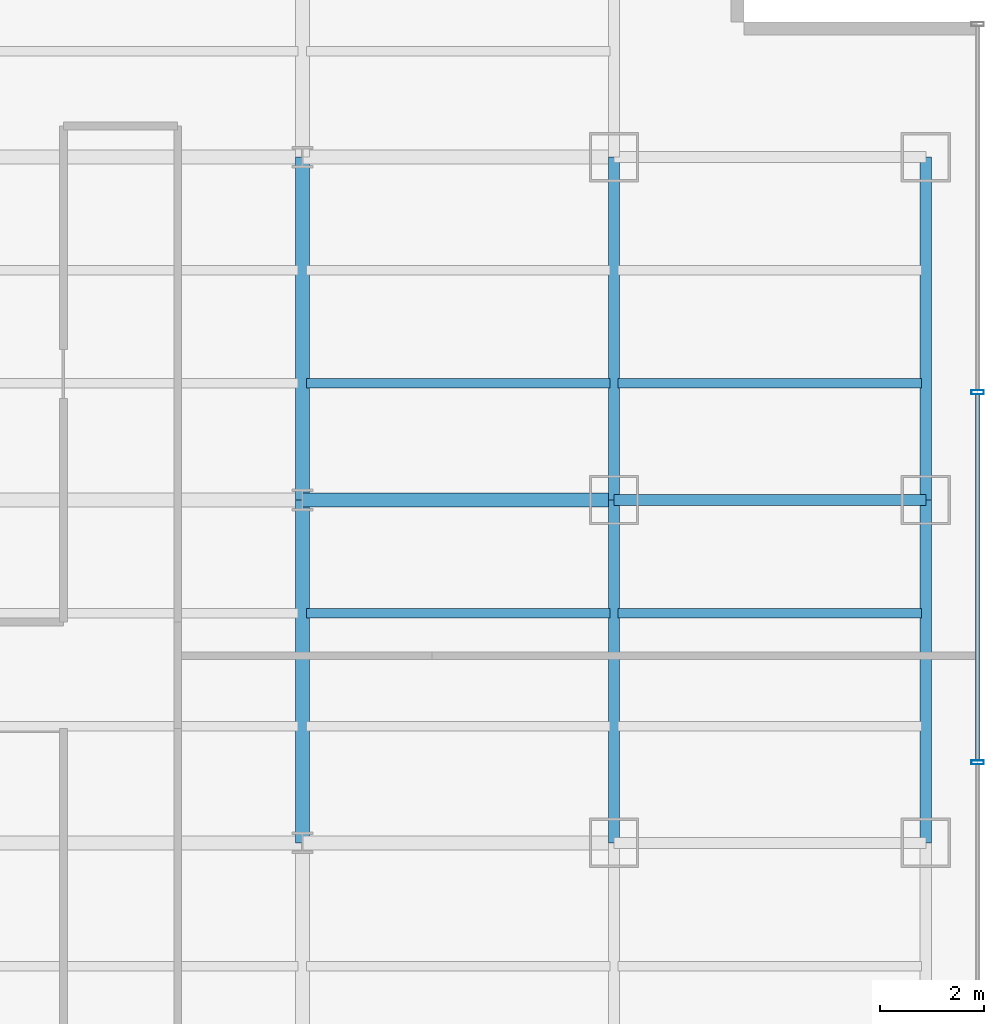
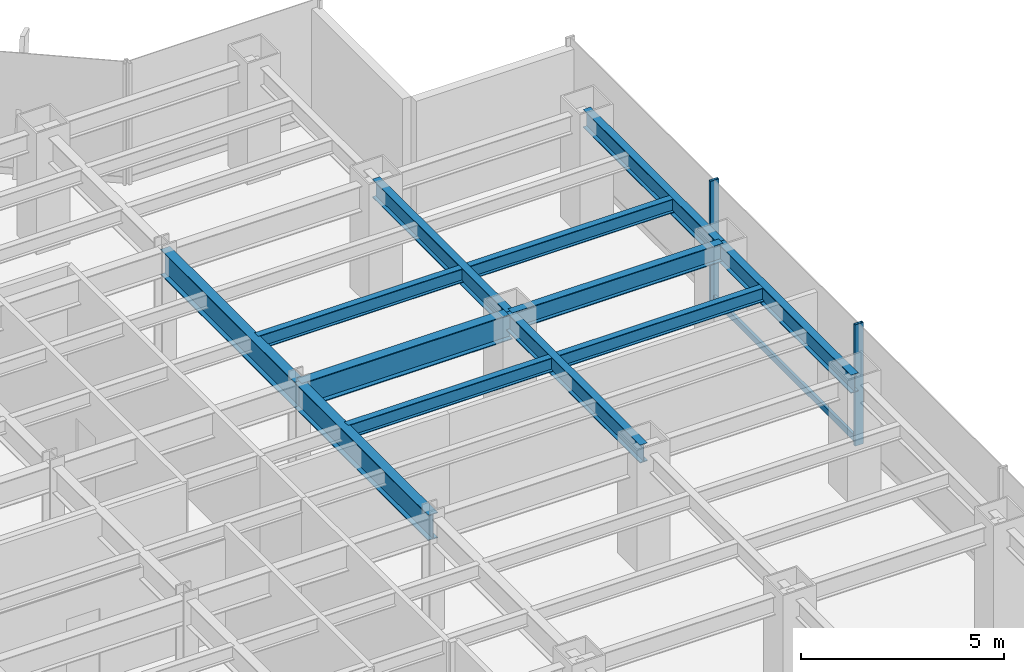
# One storey, part 9 of 22: 12 beams, 3 members, 1 element without a shape of its own.
"""IFC4 building model written with IfcOpenShell, lengths in metres."""

from ifc_helpers import new_model, si_unit, derived_unit, direction, frame, origin, origin_2d, place, context, subcontext, project, spatial, hollow_rectangle, i_section, extrude, source, transform, mapped, material, material_profile, profile_set, type_object, element, aggregate, save


model = new_model("IFC4")

# Units and contexts
model_context = context("Model", 3, precision=1e-05, world=origin(), true_north=direction((0.0, 1.0)))
body_context = subcontext(model_context, "Body", "Model", "MODEL_VIEW")
ifc_project = project(units=[si_unit("LENGTHUNIT", "METRE"), si_unit("AREAUNIT", "SQUARE_METRE"), si_unit("VOLUMEUNIT", "CUBIC_METRE"), si_unit("PLANEANGLEUNIT", "RADIAN"), si_unit("MASSUNIT", "GRAM", prefix="KILO"), derived_unit("THERMALTRANSMITTANCEUNIT", [(si_unit("POWERUNIT", "WATT"), 1), (si_unit("LENGTHUNIT", "METRE"), -2), (si_unit("THERMODYNAMICTEMPERATUREUNIT", "KELVIN"), -1)])], contexts=[model_context])

# Site, building, storey
site_placement = place(None, origin())
site = spatial("IfcSite", under=ifc_project, at=site_placement, CompositionType="ELEMENT")
building_placement = place(site_placement, origin())
building = spatial("IfcBuilding", under=site, at=building_placement, Name="Skarnbrae Concourse Arena and Tower", CompositionType="ELEMENT")
storey_placement = place(building_placement, frame((0.0, 0.0, 69.0)))
storey = spatial("IfcBuildingStorey", under=building, at=storey_placement, Name="L16", CompositionType="ELEMENT", Elevation=69.0)

# Beams
ifc_material_1 = material(Name="Steel CSA G40.21 350W", Category="steel")
ifc_material_profile_1 = material_profile(ifc_material_1, i_section(OverallWidth=0.214111328125, OverallDepth=0.549072265625, WebThickness=0.0146484375, FlangeThickness=0.023681640625, at=origin_2d()), Name="W530X138")
ifc_profile_set_1 = profile_set([ifc_material_profile_1], Name="Steel CSA G40.21 350W")
beam_type_1 = type_object("IfcBeamType", Name="BM-SPAN-W530X138", PredefinedType="SPANDREL", material=ifc_profile_set_1)
shared_shape_1 = source(origin(), body_context, "Body", "SweptSolid", [
    extrude(i_section(OverallWidth=0.214111328125, OverallDepth=0.549072265625, WebThickness=0.0146484375, FlangeThickness=0.023681640625, at=origin_2d()), origin(), (0.0, 0.0, 1.0), 6.0),
])
beam_1_placement = place(storey_placement, frame((55.0, 27.800048828125, 3.12548828125), z_axis=(1.0, 0.0, 0.0), x_axis=(0.0, 1.0, 0.0)))
element("IfcBeam", 1, at=beam_1_placement, inside=storey, type_object=beam_type_1, Name="L16 Perimeter spandrel Y27.8-9", PredefinedType="SPANDREL", context=body_context, shape_type="MappedRepresentation", body=[
    mapped(shared_shape_1, transform((0.0, 0.0, 0.0))),
])
ifc_material_profile_2 = material_profile(ifc_material_1, i_section(OverallWidth=0.26806640625, OverallDepth=0.77001953125, WebThickness=0.015625, FlangeThickness=0.025390625, at=origin_2d()), Name="W760X196")
ifc_profile_set_2 = profile_set([ifc_material_profile_2], Name="Steel CSA G40.21 350W")
beam_type_2 = type_object("IfcBeamType", Name="BM-GIRD-W760X196", PredefinedType="BEAM", material=ifc_profile_set_2)
shared_shape_2 = source(origin(), body_context, "Body", "SweptSolid", [
    extrude(i_section(OverallWidth=0.26806640625, OverallDepth=0.77001953125, WebThickness=0.015625, FlangeThickness=0.025390625, at=origin_2d()), origin(), (0.0, 0.0, 1.0), 6.60009765625),
])
beam_2_placement = place(storey_placement, frame((49.0, 21.199951171875, 3.014892578125), z_axis=(0.0, 1.0, 0.0), x_axis=(-1.0, 0.0, 0.0)))
element("IfcBeam", 2, at=beam_2_placement, inside=storey, type_object=beam_type_2, Name="L16 Primary N-S girder X49.0-3", PredefinedType="BEAM", context=body_context, shape_type="MappedRepresentation", body=[
    mapped(shared_shape_2, transform((0.0, 0.0, 0.0))),
])
shared_shape_3 = source(origin(), body_context, "Body", "SweptSolid", [
    extrude(i_section(OverallWidth=0.26806640625, OverallDepth=0.77001953125, WebThickness=0.015625, FlangeThickness=0.025390625, at=origin_2d()), origin(), (0.0, 0.0, 1.0), 6.0),
])
beam_3_placement = place(storey_placement, frame((49.0, 27.800048828125, 3.014892578125), z_axis=(1.0, 0.0, 0.0), x_axis=(0.0, 1.0, 0.0)))
element("IfcBeam", 3, at=beam_3_placement, inside=storey, type_object=beam_type_2, Name="L16 Primary E-W girder Y27.8-8", PredefinedType="BEAM", context=body_context, shape_type="MappedRepresentation", body=[
    mapped(shared_shape_3, transform((0.0, 0.0, 0.0))),
])
shared_shape_4 = source(origin(), body_context, "Body", "SweptSolid", [
    extrude(i_section(OverallWidth=0.214111328125, OverallDepth=0.549072265625, WebThickness=0.0146484375, FlangeThickness=0.023681640625, at=origin_2d()), origin(), (0.0, 0.0, 1.0), 6.60009765625),
])
for number, where, z_axis, x_axis, name in (
    (4, (55.0, 21.199951171875, 3.12548828125), (0.0, 1.0, 0.0), (-1.0, 0.0, 0.0), "L16 Perimeter spandrel X55.0-3"),
    (5, (61.0, 21.199951171875, 3.12548828125), (0.0, 1.0, 0.0), (-1.0, 0.0, 0.0), "L16 Perimeter spandrel X61.0-3"),
):
    element("IfcBeam", number, at=place(storey_placement, frame(where, z_axis=z_axis, x_axis=x_axis)), inside=storey, type_object=beam_type_1, Name=name, PredefinedType="SPANDREL", context=body_context, shape_type="MappedRepresentation", body=[
        mapped(shared_shape_4, transform((0.0, 0.0, 0.0))),
    ])
shared_shape_5 = source(origin(), body_context, "Body", "SweptSolid", [
    extrude(i_section(OverallWidth=0.214111328125, OverallDepth=0.549072265625, WebThickness=0.0146484375, FlangeThickness=0.023681640625, at=origin_2d()), origin(), (0.0, 0.0, 1.0), 6.599853515625),
])
for number, where, z_axis, x_axis, name in (
    (6, (55.0, 27.800048828125, 3.12548828125), (0.0, 1.0, 0.0), (-1.0, 0.0, 0.0), "L16 Perimeter spandrel X55.0-4"),
    (7, (61.0, 27.800048828125, 3.12548828125), (0.0, 1.0, 0.0), (-1.0, 0.0, 0.0), "L16 Perimeter spandrel X61.0-4"),
):
    element("IfcBeam", number, at=place(storey_placement, frame(where, z_axis=z_axis, x_axis=x_axis)), inside=storey, type_object=beam_type_1, Name=name, PredefinedType="SPANDREL", context=body_context, shape_type="MappedRepresentation", body=[
        mapped(shared_shape_5, transform((0.0, 0.0, 0.0))),
    ])
shared_shape_6 = source(origin(), body_context, "Body", "SweptSolid", [
    extrude(i_section(OverallWidth=0.26806640625, OverallDepth=0.77001953125, WebThickness=0.015625, FlangeThickness=0.025390625, at=origin_2d()), origin(), (0.0, 0.0, 1.0), 6.599853515625),
])
beam_4_placement = place(storey_placement, frame((49.0, 27.800048828125, 3.014892578125), z_axis=(0.0, 1.0, 0.0), x_axis=(-1.0, 0.0, 0.0)))
element("IfcBeam", 8, at=beam_4_placement, inside=storey, type_object=beam_type_2, Name="L16 Primary N-S girder X49.0-4", PredefinedType="BEAM", context=body_context, shape_type="MappedRepresentation", body=[
    mapped(shared_shape_6, transform((0.0, 0.0, 0.0))),
])
ifc_material_profile_3 = material_profile(ifc_material_1, i_section(OverallWidth=0.180908203125, OverallDepth=0.4169921875, WebThickness=0.010986328125, FlangeThickness=0.018310546875, at=origin_2d()), Name="W410X85")
ifc_profile_set_3 = profile_set([ifc_material_profile_3], Name="Steel CSA G40.21 350W")
beam_type_3 = type_object("IfcBeamType", Name="BM-JOIST-W410X85", PredefinedType="JOIST", material=ifc_profile_set_3)
shared_shape_7 = source(origin(), body_context, "Body", "SweptSolid", [
    extrude(i_section(OverallWidth=0.180908203125, OverallDepth=0.4169921875, WebThickness=0.010986328125, FlangeThickness=0.018310546875, at=origin_2d()), origin(), (0.0, 0.0, 1.0), 5.83984375),
])
for number, where, z_axis, x_axis, name in (
    (9, (49.080078125, 25.6220703125, 3.19140625), (1.0, 0.0, 0.0), (0.0, 1.0, 0.0), "L16 Secondary floor joist 2.2.8"),
    (10, (55.080078125, 25.6220703125, 3.19140625), (1.0, 0.0, 0.0), (0.0, 1.0, 0.0), "L16 Secondary floor joist 2.2.9"),
    (11, (49.080078125, 30.0439453125, 3.19140625), (1.0, 0.0, 0.0), (0.0, 1.0, 0.0), "L16 Secondary floor joist 3.1.8"),
    (12, (55.080078125, 30.0439453125, 3.19140625), (1.0, 0.0, 0.0), (0.0, 1.0, 0.0), "L16 Secondary floor joist 3.1.9"),
):
    element("IfcBeam", number, at=place(storey_placement, frame(where, z_axis=z_axis, x_axis=x_axis)), inside=storey, type_object=beam_type_3, Name=name, PredefinedType="JOIST", context=body_context, shape_type="MappedRepresentation", body=[
        mapped(shared_shape_7, transform((0.0, 0.0, 0.0))),
    ])

# Curtain wall, members
ifc_material_2 = material(Name="Bronze anodised aluminium 6063-T6", Category="aluminium")
curtain_wall_type = type_object("IfcCurtainWallType", Name="CW-SYS-02-LOWZONE", PredefinedType="USERDEFINED", material=ifc_material_2)
curtain_wall_placement = place(storey_placement, origin())
curtain_wall = element("IfcCurtainWall", 13, at=curtain_wall_placement, inside=storey, type_object=curtain_wall_type, Name="L16 Unitised curtain wall CW-L16-E04", ObjectType="UNITISED CURTAIN WALL", PredefinedType="USERDEFINED")
ifc_material_profile_4 = material_profile(ifc_material_2, hollow_rectangle(XDim=0.080078125, YDim=0.239990234375, WallThickness=0.0048828125, at=origin_2d()), Name="ALU-MULL-80X240")
ifc_profile_set_4 = profile_set([ifc_material_profile_4], Name="Bronze anodised aluminium 6063-T6")
member_type_1 = type_object("IfcMemberType", Name="CWM-CW-02", PredefinedType="MULLION", material=ifc_profile_set_4)
shared_shape_8 = source(origin(), body_context, "Body", "SweptSolid", [
    extrude(hollow_rectangle(XDim=0.080078125, YDim=0.239990234375, WallThickness=0.0048828125, at=origin_2d()), origin(), (0.0, 0.0, 1.0), 3.64990234375),
])
member_1_placement = place(storey_placement, frame((62.0, 22.75, 0.0), z_axis=(0.0, 0.0, 1.0), x_axis=(0.0, 1.0, 0.0)))
member_1 = element("IfcMember", 14, at=member_1_placement, type_object=member_type_1, Name="CW-L16-E04 Mullion 3", PredefinedType="MULLION", context=body_context, shape_type="MappedRepresentation", body=[
    mapped(shared_shape_8, transform((0.0, 0.0, 0.0))),
])
member_2_placement = place(storey_placement, frame((62.0, 29.875, 0.0), z_axis=(0.0, 0.0, 1.0), x_axis=(0.0, 1.0, 0.0)))
member_2 = element("IfcMember", 15, at=member_2_placement, type_object=member_type_1, Name="CW-L16-E04 Mullion 4", PredefinedType="MULLION", context=body_context, shape_type="MappedRepresentation", body=[
    mapped(shared_shape_8, transform((0.0, 0.0, 0.0))),
])
ifc_material_profile_5 = material_profile(ifc_material_2, hollow_rectangle(XDim=0.080078125, YDim=0.18994140625, WallThickness=0.0048828125, at=origin_2d()), Name="ALU-TRAN-80X190")
ifc_profile_set_5 = profile_set([ifc_material_profile_5], Name="Bronze anodised aluminium 6063-T6")
member_type_2 = type_object("IfcMemberType", Name="CWT-CW-02", PredefinedType="USERDEFINED", material=ifc_profile_set_5)
shared_shape_9 = source(origin(), body_context, "Body", "SweptSolid", [
    extrude(hollow_rectangle(XDim=0.080078125, YDim=0.18994140625, WallThickness=0.0048828125, at=origin_2d()), origin(), (0.0, 0.0, 1.0), 7.044921875),
])
member_3_placement = place(storey_placement, frame((62.0, 22.7900390625, 0.094970703125), z_axis=(0.0, 1.0, 0.0), x_axis=(-1.0, 0.0, 0.0)))
member_3 = element("IfcMember", 16, at=member_3_placement, type_object=member_type_2, Name="CW-L16-E04 Transom 3", ObjectType="TRANSOM", PredefinedType="USERDEFINED", context=body_context, shape_type="MappedRepresentation", body=[
    mapped(shared_shape_9, transform((0.0, 0.0, 0.0))),
])
aggregate(curtain_wall, [member_1, member_2, member_3])

save(model, "model.ifc")
